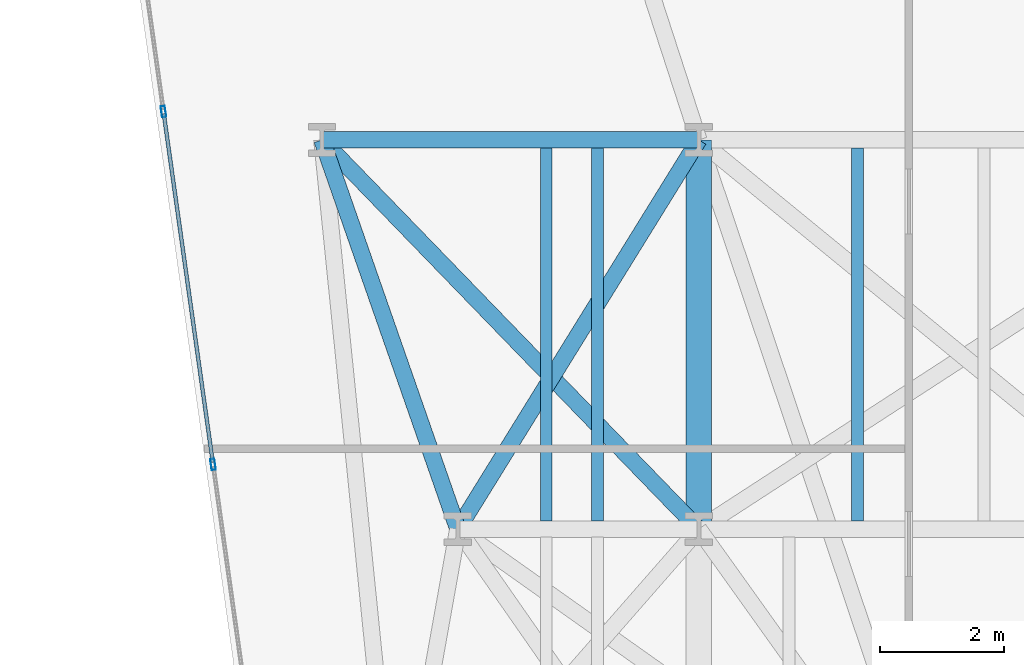
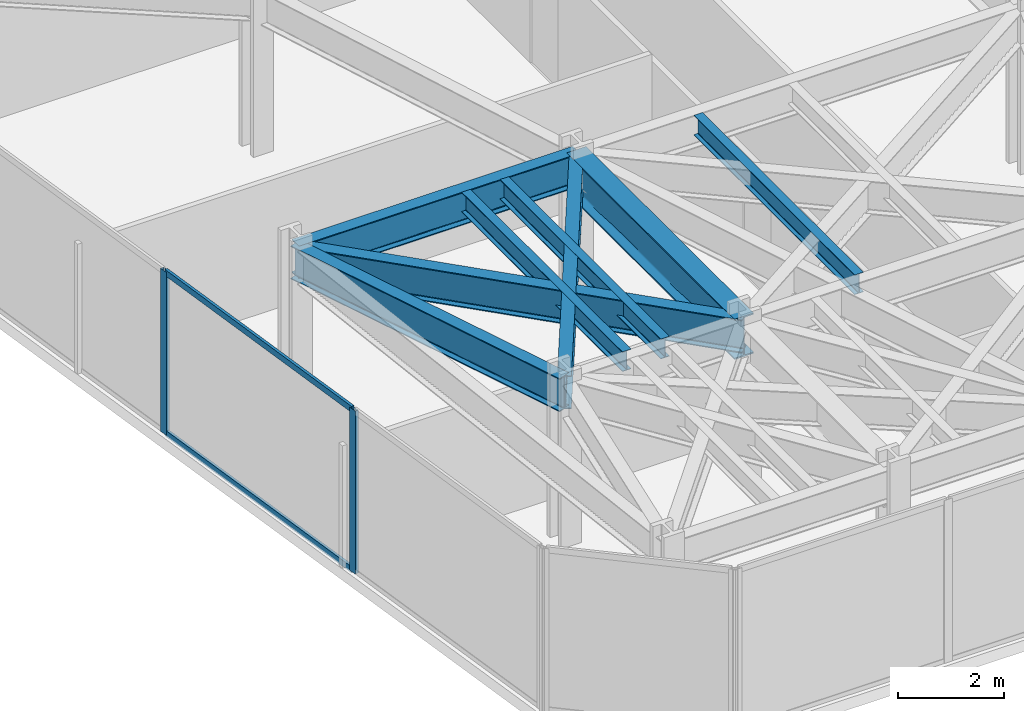
# One storey, part 4 of 24: 8 beams, 4 members, 1 element without a shape of its own.
"""IFC4 building model written with IfcOpenShell, lengths in metres."""

from ifc_helpers import new_model, si_unit, direction, frame, origin, origin_2d, place, context, subcontext, project, spatial, hollow_rectangle, i_section, extrude, material, layer, layer_set, material_profile, profile_set, type_object, element, aggregate, save


model = new_model("IFC4")

# Units and contexts
model_context = context("Model", 3, precision=1e-05, world=origin(), true_north=direction((0.0, 1.0)))
body_context = subcontext(model_context, "Body", "Model", "MODEL_VIEW")
ifc_project = project(units=[si_unit("LENGTHUNIT", "METRE"), si_unit("AREAUNIT", "SQUARE_METRE"), si_unit("VOLUMEUNIT", "CUBIC_METRE"), si_unit("PLANEANGLEUNIT", "RADIAN"), si_unit("MASSUNIT", "GRAM", prefix="KILO")], contexts=[model_context])

# Site, building, storey
site_placement = place(None, origin())
site = spatial("IfcSite", under=ifc_project, at=site_placement, CompositionType="ELEMENT")
building_placement = place(site_placement, origin())
building = spatial("IfcBuilding", under=site, at=building_placement, Name="Kravanh Interchange Tower", CompositionType="ELEMENT")
storey_placement = place(building_placement, frame((0.0, 0.0, 53.5)))
storey = spatial("IfcBuildingStorey", under=building, at=storey_placement, Name="L12", CompositionType="ELEMENT", Elevation=53.5)

# Curtain wall, members
ifc_material_1 = material(Name="Anodised Bronze Aluminium", Category="aluminium")
ifc_layer = layer(ifc_material_1, 0.179931640625)
ifc_layer_set = layer_set([ifc_layer], Name="Unitised Curtain Wall System CW-Z1 Lower Office")
curtain_wall_type = type_object("IfcCurtainWallType", Name="Unitised Curtain Wall System CW-Z1 Lower Office", PredefinedType="NOTDEFINED", material=ifc_layer_set)
curtain_wall_placement = place(storey_placement, origin())
curtain_wall = element("IfcCurtainWall", 1, at=curtain_wall_placement, inside=storey, type_object=curtain_wall_type, Name="L12 Unitised Curtain Wall CW-L12-01", PredefinedType="NOTDEFINED")
ifc_material_2 = material(Name="Anodised Bronze Aluminium", Category="aluminium")
ifc_material_profile_1 = material_profile(ifc_material_2, hollow_rectangle(XDim=0.070068359375, YDim=0.179931640625, WallThickness=0.00390625, at=origin_2d()), Name="ALU70X180X4")
ifc_profile_set_1 = profile_set([ifc_material_profile_1], Name="Anodised Bronze Aluminium")
member_type_1 = type_object("IfcMemberType", Name="Curtain Wall Mullion ALU70X180X4 Bronze", PredefinedType="MULLION", material=ifc_profile_set_1)
member_1_placement = place(storey_placement, frame((9.6376953125, 9.247314453125, 0.0), z_axis=(0.0, 0.0, 1.0), x_axis=(-0.990267585682, -0.139176538065, 0.0)))
member_1 = element("IfcMember", 2, at=member_1_placement, type_object=member_type_1, Name="CW-Z1 mullion 2", PredefinedType="MULLION", context=body_context, shape_type="SweptSolid", body=[
    extrude(hollow_rectangle(XDim=0.070068359375, YDim=0.179931640625, WallThickness=0.00390625, at=origin_2d()), origin(), (0.0, 0.0, 1.0), 3.739990234375),
])
member_2_placement = place(storey_placement, frame((8.835205078125, 14.957763671875, 0.0), z_axis=(0.0, 0.0, 1.0), x_axis=(-0.990267585682, -0.139176538065, 0.0)))
member_2 = element("IfcMember", 3, at=member_2_placement, type_object=member_type_1, Name="CW-Z1 mullion 3", PredefinedType="MULLION", context=body_context, shape_type="SweptSolid", body=[
    extrude(hollow_rectangle(XDim=0.070068359375, YDim=0.179931640625, WallThickness=0.00390625, at=origin_2d()), origin(), (0.0, 0.0, 1.0), 3.739990234375),
])
ifc_material_3 = material(Name="Anodised Bronze Aluminium", Category="aluminium")
ifc_material_profile_2 = material_profile(ifc_material_3, hollow_rectangle(XDim=0.06005859375, YDim=0.139892578125, WallThickness=0.00390625, at=origin_2d()), Name="ALU60X140X4")
ifc_profile_set_2 = profile_set([ifc_material_profile_2], Name="Anodised Bronze Aluminium")
member_type_2 = type_object("IfcMemberType", Name="Curtain Wall Transom ALU60X140X4 Bronze", PredefinedType="USERDEFINED", material=ifc_profile_set_2)
member_3_placement = place(storey_placement, frame((9.633056640625, 9.281982421875, 0.030029296875), z_axis=(-0.139200984921, 0.990264149506, 0.0), x_axis=(-0.990264149506, -0.139200984921, 0.0)))
member_3 = element("IfcMember", 4, at=member_3_placement, type_object=member_type_2, Name="CW-Z1 transom 2.1", ObjectType="TRANSOM", PredefinedType="USERDEFINED", context=body_context, shape_type="SweptSolid", body=[
    extrude(hollow_rectangle(XDim=0.06005859375, YDim=0.139892578125, WallThickness=0.00390625, at=origin_2d()), origin(), (0.0, 0.0, 1.0), 5.696533203125),
])
member_4_placement = place(storey_placement, frame((9.633056640625, 9.281982421875, 3.7099609375), z_axis=(-0.139200984921, 0.990264149506, 0.0), x_axis=(-0.990264149506, -0.139200984921, 0.0)))
member_4 = element("IfcMember", 5, at=member_4_placement, type_object=member_type_2, Name="CW-Z1 transom 2.2", ObjectType="TRANSOM", PredefinedType="USERDEFINED", context=body_context, shape_type="SweptSolid", body=[
    extrude(hollow_rectangle(XDim=0.06005859375, YDim=0.139892578125, WallThickness=0.00390625, at=origin_2d()), origin(), (0.0, 0.0, 1.0), 5.696533203125),
])
aggregate(curtain_wall, [member_1, member_2, member_3, member_4])

# Beams
ifc_material_4 = material(Name="Structural Steel S355", Category="steel")
ifc_material_profile_3 = material_profile(ifc_material_4, i_section(OverallWidth=0.41796875, OverallDepth=0.927001953125, WebThickness=0.019287109375, FlangeThickness=0.031982421875, FilletRadius=0.028076171875, at=origin_2d()), Name="W36X231")
ifc_profile_set_3 = profile_set([ifc_material_profile_3], Name="Structural Steel S355")
beam_type_1 = type_object("IfcBeamType", Name="Floor Beam W36X231 Structural Steel S355", PredefinedType="BEAM", material=ifc_profile_set_3)
beam_1_placement = place(storey_placement, frame((17.5, 8.199951171875, 3.276611328125), z_axis=(0.0, 1.0, 0.0), x_axis=(-1.0, 0.0, 0.0)))
element("IfcBeam", 6, at=beam_1_placement, inside=storey, type_object=beam_type_1, Name="L12 Primary Floor Girder 136", PredefinedType="BEAM", context=body_context, shape_type="SweptSolid", body=[
    extrude(i_section(OverallWidth=0.41796875, OverallDepth=0.927001953125, WebThickness=0.019287109375, FlangeThickness=0.031982421875, FilletRadius=0.028076171875, at=origin_2d()), origin(), (0.0, 0.0, 1.0), 6.300048828125),
])
ifc_material_5 = material(Name="Structural Steel S355", Category="steel")
ifc_material_profile_4 = material_profile(ifc_material_5, i_section(OverallWidth=0.18994140625, OverallDepth=0.45703125, WebThickness=0.009033203125, FlangeThickness=0.014404296875, FilletRadius=0.01806640625, at=origin_2d()), Name="W18X50")
ifc_profile_set_4 = profile_set([ifc_material_profile_4], Name="Structural Steel S355")
beam_type_2 = type_object("IfcBeamType", Name="Floor Joist W18X50 Structural Steel S355", PredefinedType="JOIST", material=ifc_profile_set_4)
for number, where, z_axis, x_axis, name in (
    (7, (15.030029296875, 8.32861328125, 3.511474609375), (0.0, 1.0, 0.0), (-1.0, 0.0, 0.0), "L12 Secondary Floor Joist 7"),
    (8, (15.862060546875, 8.32861328125, 3.511474609375), (0.0, 1.0, 0.0), (-1.0, 0.0, 0.0), "L12 Secondary Floor Joist 8"),
    (9, (20.070068359375, 8.32861328125, 3.511474609375), (0.0, 1.0, 0.0), (-1.0, 0.0, 0.0), "L12 Secondary Floor Joist 9"),
):
    element("IfcBeam", number, at=place(storey_placement, frame(where, z_axis=z_axis, x_axis=x_axis)), inside=storey, type_object=beam_type_2, Name=name, PredefinedType="JOIST", context=body_context, shape_type="SweptSolid", body=[
        extrude(i_section(OverallWidth=0.18994140625, OverallDepth=0.45703125, WebThickness=0.009033203125, FlangeThickness=0.014404296875, FilletRadius=0.01806640625, at=origin_2d()), origin(), (0.0, 0.0, 1.0), 6.04296875),
    ])
ifc_material_6 = material(Name="Structural Steel S355", Category="steel")
ifc_material_profile_5 = material_profile(ifc_material_6, i_section(OverallWidth=0.26708984375, OverallDepth=0.761962890625, WebThickness=0.014404296875, FlangeThickness=0.021484375, FilletRadius=0.02490234375, at=origin_2d()), Name="W30X116")
ifc_profile_set_5 = profile_set([ifc_material_profile_5], Name="Structural Steel S355")
beam_type_3 = type_object("IfcBeamType", Name="Floor Spandrel W30X116 Structural Steel S355", PredefinedType="SPANDREL", material=ifc_profile_set_5)
beam_2_placement = place(storey_placement, frame((13.60009765625, 8.199951171875, 3.35888671875), z_axis=(-0.329706642337, 0.944083433812, 0.0), x_axis=(-0.944083433812, -0.329706642337, 0.0)))
element("IfcBeam", 10, at=beam_2_placement, inside=storey, type_object=beam_type_3, Name="L12 Perimeter Spandrel 134", PredefinedType="SPANDREL", context=body_context, shape_type="SweptSolid", body=[
    extrude(i_section(OverallWidth=0.26708984375, OverallDepth=0.761962890625, WebThickness=0.014404296875, FlangeThickness=0.021484375, FilletRadius=0.02490234375, at=origin_2d()), origin(), (0.0, 0.0, 1.0), 6.673095703125),
])
beam_3_placement = place(storey_placement, frame((13.60009765625, 8.199951171875, 3.35888671875), z_axis=(0.5263421368, 0.850272870923, 0.0), x_axis=(-0.850272870923, 0.5263421368, 0.0)))
element("IfcBeam", 11, at=beam_3_placement, inside=storey, type_object=beam_type_3, Name="L12 Perimeter Spandrel 135", PredefinedType="SPANDREL", context=body_context, shape_type="SweptSolid", body=[
    extrude(i_section(OverallWidth=0.26708984375, OverallDepth=0.761962890625, WebThickness=0.014404296875, FlangeThickness=0.021484375, FilletRadius=0.02490234375, at=origin_2d()), origin(), (0.0, 0.0, 1.0), 7.409423828125),
])
beam_4_placement = place(storey_placement, frame((17.5, 8.199951171875, 3.35888671875), z_axis=(-0.695614323867, 0.718415417729, 0.0), x_axis=(-0.718415417729, -0.695614323867, 0.0)))
element("IfcBeam", 12, at=beam_4_placement, inside=storey, type_object=beam_type_3, Name="L12 Perimeter Spandrel 138", PredefinedType="SPANDREL", context=body_context, shape_type="SweptSolid", body=[
    extrude(i_section(OverallWidth=0.26708984375, OverallDepth=0.761962890625, WebThickness=0.014404296875, FlangeThickness=0.021484375, FilletRadius=0.02490234375, at=origin_2d()), origin(), (0.0, 0.0, 1.0), 8.769287109375),
])
beam_5_placement = place(storey_placement, frame((11.39990234375, 14.5, 3.35888671875), z_axis=(1.0, 0.0, 0.0), x_axis=(0.0, 1.0, 0.0)))
element("IfcBeam", 13, at=beam_5_placement, inside=storey, type_object=beam_type_3, Name="L12 Perimeter Spandrel 143", PredefinedType="SPANDREL", context=body_context, shape_type="SweptSolid", body=[
    extrude(i_section(OverallWidth=0.26708984375, OverallDepth=0.761962890625, WebThickness=0.014404296875, FlangeThickness=0.021484375, FilletRadius=0.02490234375, at=origin_2d()), origin(), (0.0, 0.0, 1.0), 6.10009765625),
])

save(model, "model.ifc")
